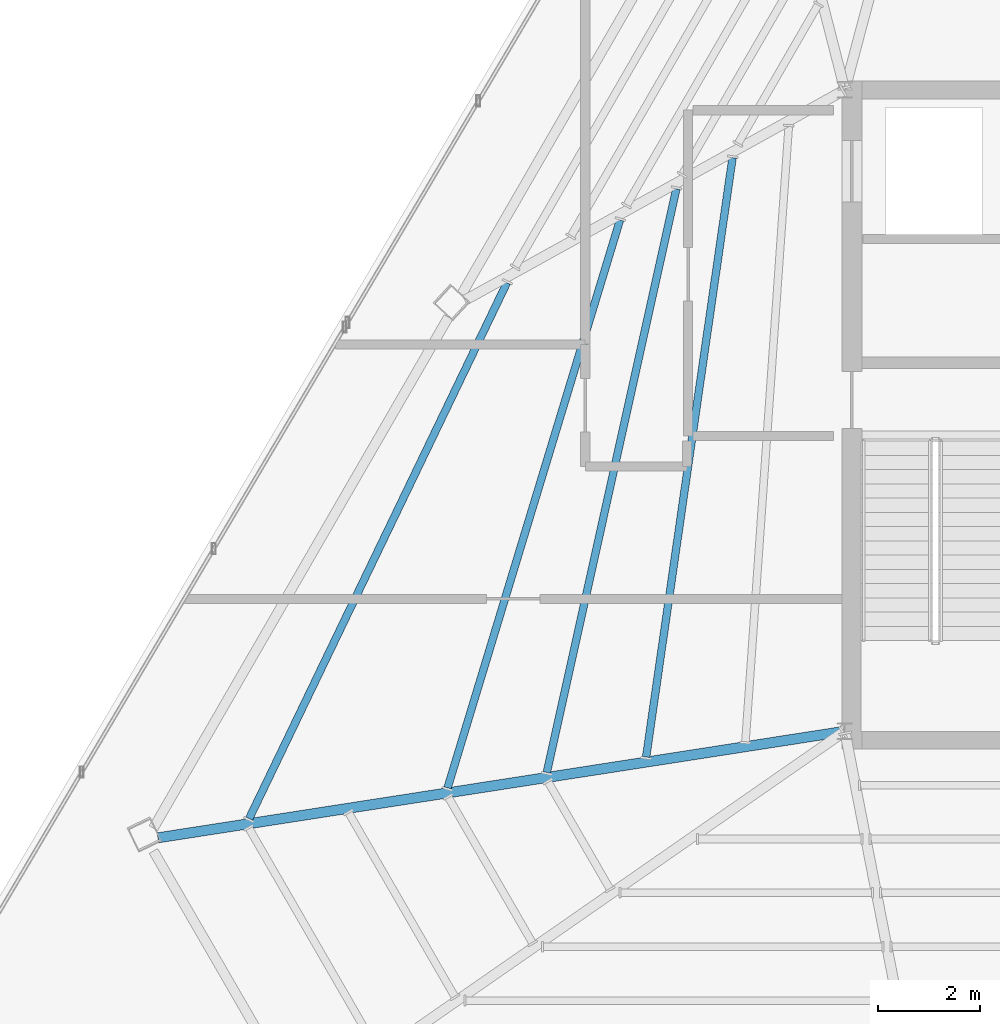
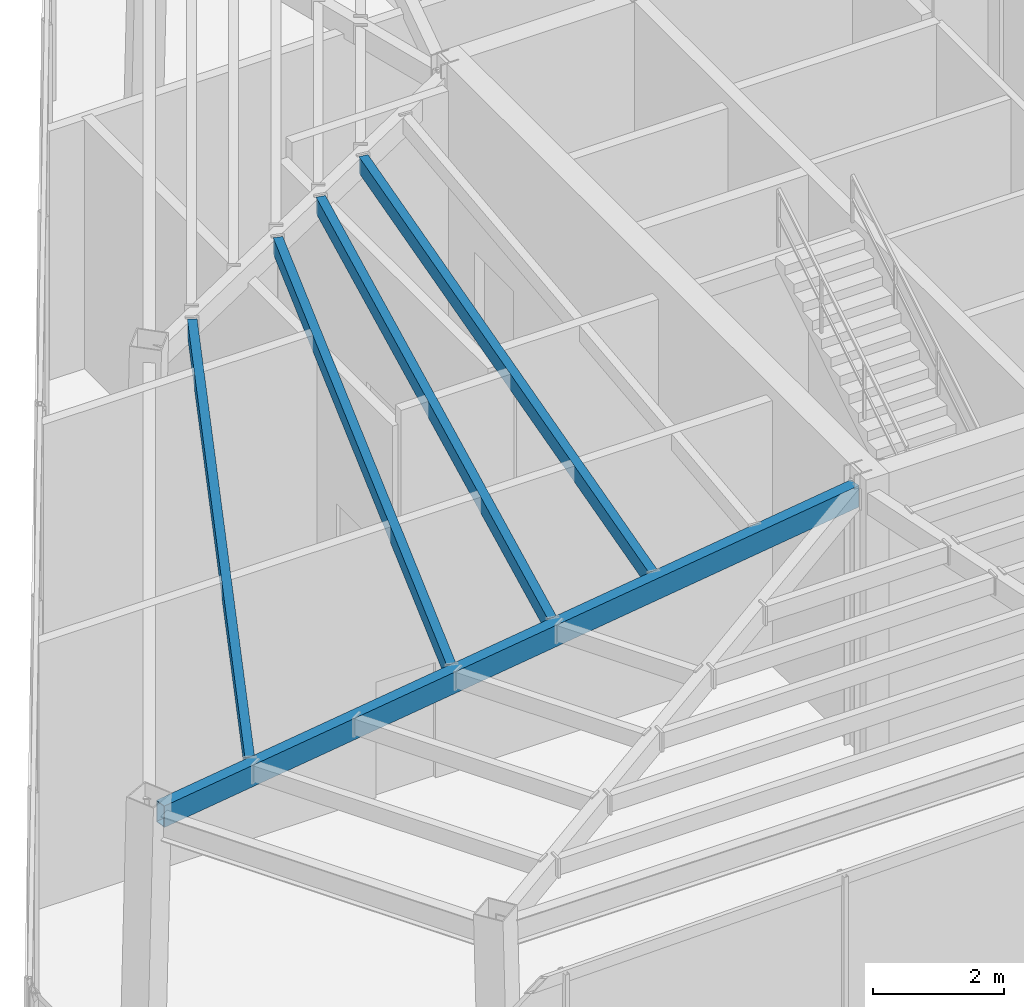
# One storey, part 6 of 25: 5 beams.
"""IFC4 building model written with IfcOpenShell, lengths in metres."""

from ifc_helpers import new_model, si_unit, direction, frame, origin, origin_2d, place, context, subcontext, project, spatial, hollow_rectangle, extrude, source, transform, mapped, material, material_profile, profile_set, type_object, type_shapes, element, save


model = new_model("IFC4")

# Units and contexts
model_context = context("Model", 3, precision=1e-05, world=origin(), true_north=direction((0.0, 1.0)))
body_context = subcontext(model_context, "Body", "Model", "MODEL_VIEW")
ifc_project = project(units=[si_unit("LENGTHUNIT", "METRE"), si_unit("AREAUNIT", "SQUARE_METRE"), si_unit("VOLUMEUNIT", "CUBIC_METRE"), si_unit("PLANEANGLEUNIT", "RADIAN"), si_unit("MASSUNIT", "GRAM", prefix="KILO")], contexts=[model_context])

# Site, building, storey
site_placement = place(None, origin())
site = spatial("IfcSite", under=ifc_project, at=site_placement, CompositionType="ELEMENT")
building_placement = place(site_placement, origin())
building = spatial("IfcBuilding", under=site, at=building_placement, Name="Caelisora Broadcast Tower", CompositionType="ELEMENT")
storey_placement = place(building_placement, frame((0.0, 0.0, 284.60009765625)))
storey = spatial("IfcBuildingStorey", under=building, at=storey_placement, Name="L75", CompositionType="ELEMENT", Elevation=284.60009765625)

# Beams
ifc_material = material(Name="Steel Grade 350 (AS/NZS 1163 C350L0)", Category="steel")
ifc_material_profile_1 = material_profile(ifc_material, hollow_rectangle(XDim=0.199951171875, YDim=0.39990234375, WallThickness=0.012451171875, at=origin_2d()), Name="Steel Grade 350 (AS/NZS 1163 C350L0)")
ifc_profile_set_1 = profile_set([ifc_material_profile_1], Name="Steel Grade 350 (AS/NZS 1163 C350L0)")
beam_type_1 = type_object("IfcBeamType", Name="PG07", PredefinedType="BEAM", material=ifc_profile_set_1)
shared_shape_1 = source(origin(), body_context, "Body", "SweptSolid", [
    extrude(hollow_rectangle(XDim=0.199951171875, YDim=0.39990234375, WallThickness=0.012451171875, at=origin_2d()), origin(), (0.0, 0.0, 1.0), 13.595703125),
])
type_shapes(beam_type_1, [shared_shape_1])
beam_1_placement = place(storey_placement, frame((30.440673828125, 17.390869140625, 4.75), z_axis=(-0.988179719813, -0.153299841324, 0.0), x_axis=(0.153299841324, -0.988179719813, 0.0)))
element("IfcBeam", 1, at=beam_1_placement, inside=storey, type_object=beam_type_1, Name="L75 beam PG07", PredefinedType="BEAM", context=body_context, shape_type="MappedRepresentation", body=[
    mapped(shared_shape_1, transform((0.0, 0.0, 0.0), scale=1.0)),
])
ifc_material_profile_2 = material_profile(ifc_material, hollow_rectangle(XDim=0.14990234375, YDim=0.300048828125, WallThickness=0.010009765625, at=origin_2d()), Name="Steel Grade 350 (AS/NZS 1163 C350L0)")
ifc_profile_set_2 = profile_set([ifc_material_profile_2], Name="Steel Grade 350 (AS/NZS 1163 C350L0)")
beam_type_2 = type_object("IfcBeamType", Name="SB05", PredefinedType="JOIST", material=ifc_profile_set_2)
shared_shape_2 = source(origin(), body_context, "Body", "SweptSolid", [
    extrude(hollow_rectangle(XDim=0.14990234375, YDim=0.300048828125, WallThickness=0.010009765625, at=origin_2d()), origin(), (0.0, 0.0, 1.0), 11.896240234375),
])
beam_2_placement = place(storey_placement, frame((28.294677734375, 28.667236328125, 4.7998046875), z_axis=(-0.142734263933, -0.989761046869, 0.0), x_axis=(0.989761046869, -0.142734263933, 0.0)))
element("IfcBeam", 2, at=beam_2_placement, inside=storey, type_object=beam_type_2, Name="L75 beam SB05", PredefinedType="JOIST", context=body_context, shape_type="MappedRepresentation", body=[
    mapped(shared_shape_2, transform((0.0, 0.0, 0.0), scale=1.0)),
])
shared_shape_3 = source(origin(), body_context, "Body", "SweptSolid", [
    extrude(hollow_rectangle(XDim=0.14990234375, YDim=0.300048828125, WallThickness=0.010009765625, at=origin_2d()), origin(), (0.0, 0.0, 1.0), 11.743896484375),
])
beam_3_placement = place(storey_placement, frame((27.18994140625, 28.055419921875, 4.7998046875), z_axis=(-0.216617883015, -0.976256468741, 0.0), x_axis=(0.976256468741, -0.216617883015, 0.0)))
element("IfcBeam", 3, at=beam_3_placement, inside=storey, type_object=beam_type_2, Name="L75 beam SB05", PredefinedType="JOIST", context=body_context, shape_type="MappedRepresentation", body=[
    mapped(shared_shape_3, transform((0.0, 0.0, 0.0), scale=1.0)),
])
shared_shape_4 = source(origin(), body_context, "Body", "SweptSolid", [
    extrude(hollow_rectangle(XDim=0.14990234375, YDim=0.300048828125, WallThickness=0.010009765625, at=origin_2d()), origin(), (0.0, 0.0, 1.0), 11.65771484375),
])
beam_4_placement = place(storey_placement, frame((26.08349609375, 27.442626953125, 4.7998046875), z_axis=(-0.290574054001, -0.956852506472, 0.0), x_axis=(0.956852506472, -0.290574054001, 0.0)))
element("IfcBeam", 4, at=beam_4_placement, inside=storey, type_object=beam_type_2, Name="L75 beam SB05", PredefinedType="JOIST", context=body_context, shape_type="MappedRepresentation", body=[
    mapped(shared_shape_4, transform((0.0, 0.0, 0.0), scale=1.0)),
])
shared_shape_5 = source(origin(), body_context, "Body", "SweptSolid", [
    extrude(hollow_rectangle(XDim=0.14990234375, YDim=0.300048828125, WallThickness=0.010009765625, at=origin_2d()), origin(), (0.0, 0.0, 1.0), 11.68359375),
])
type_shapes(beam_type_2, [shared_shape_2, shared_shape_3, shared_shape_4, shared_shape_5])
beam_5_placement = place(storey_placement, frame((23.863037109375, 26.21240234375, 4.7998046875), z_axis=(-0.43348700188, -0.901159818901, 0.0), x_axis=(0.901159818901, -0.43348700188, 0.0)))
element("IfcBeam", 5, at=beam_5_placement, inside=storey, type_object=beam_type_2, Name="L75 beam SB05", PredefinedType="JOIST", context=body_context, shape_type="MappedRepresentation", body=[
    mapped(shared_shape_5, transform((0.0, 0.0, 0.0), scale=1.0)),
])

save(model, "model.ifc")
